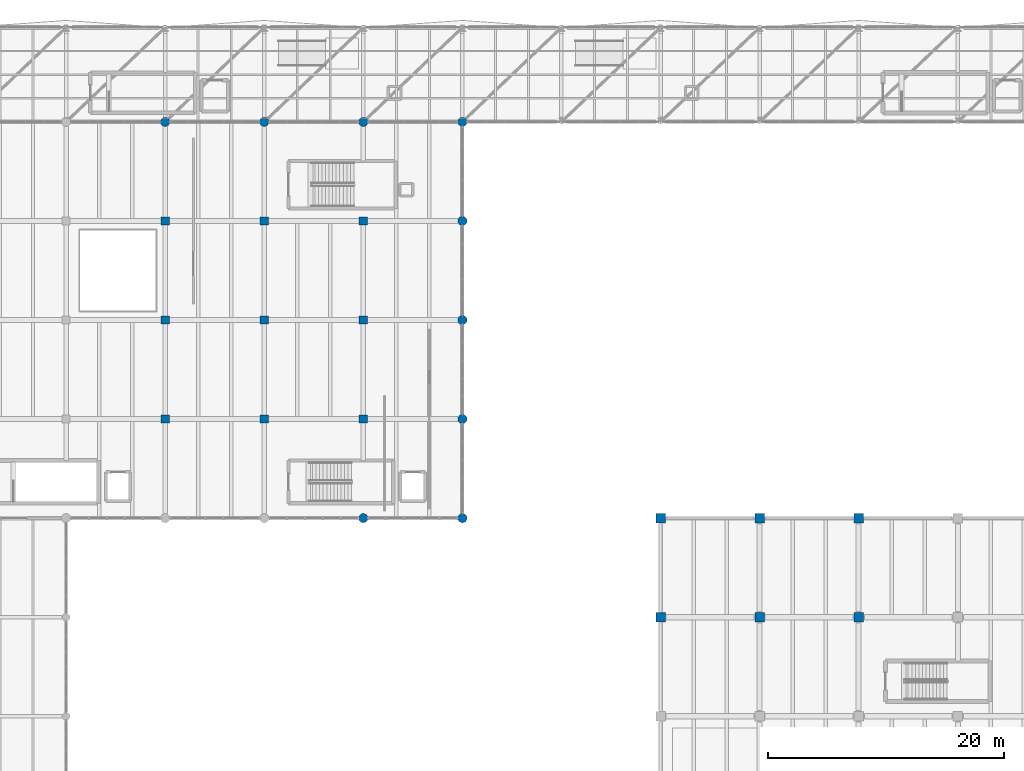
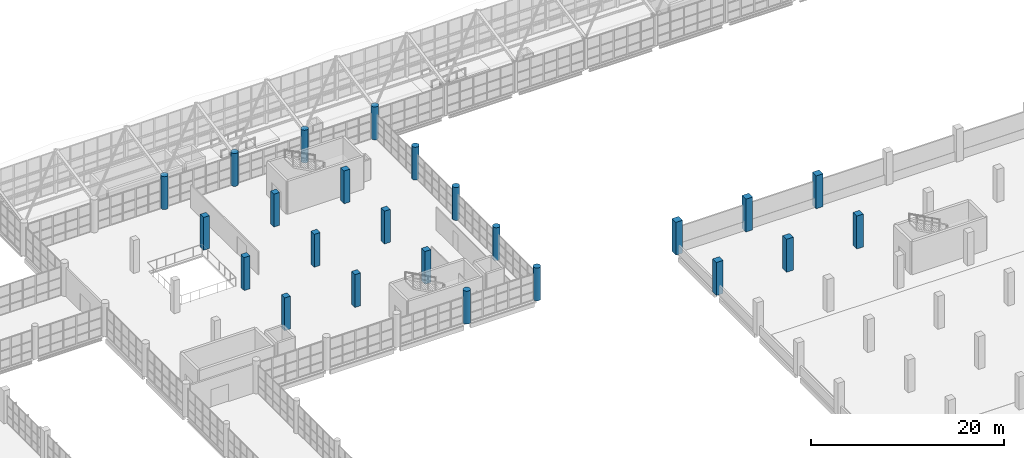
# One storey, part 3 of 177: 24 columns.
"""IFC4 building model written with IfcOpenShell, lengths in metres."""

from ifc_helpers import new_model, si_unit, direction, frame, origin, origin_2d, place, context, subcontext, project, spatial, rectangle, circle, extrude, material, material_profile, profile_set, type_object, element, save


model = new_model("IFC4")

# Units and contexts
model_context = context("Model", 3, precision=1e-05, world=origin(), true_north=direction((0.0, 1.0)))
body_context = subcontext(model_context, "Body", "Model", "MODEL_VIEW")
ifc_project = project(units=[si_unit("LENGTHUNIT", "METRE"), si_unit("AREAUNIT", "SQUARE_METRE"), si_unit("VOLUMEUNIT", "CUBIC_METRE"), si_unit("PLANEANGLEUNIT", "RADIAN"), si_unit("MASSUNIT", "GRAM", prefix="KILO"), si_unit("THERMODYNAMICTEMPERATUREUNIT", "KELVIN"), si_unit("POWERUNIT", "WATT")], contexts=[model_context])

# Site, building, storey
site_placement = place(None, origin())
site = spatial("IfcSite", under=ifc_project, at=site_placement, CompositionType="ELEMENT")
building_placement = place(site_placement, origin())
building = spatial("IfcBuilding", under=site, at=building_placement, Name="Mavoryth Pier Ferry Terminal", CompositionType="ELEMENT")
storey_placement = place(building_placement, frame((0.0, 0.0, 5.43994140625)))
storey = spatial("IfcBuildingStorey", under=building, at=storey_placement, Name="L01", CompositionType="ELEMENT", Elevation=5.43994140625)

# Columns
ifc_material = material(Name="Concrete C40/50", Category="concrete")
ifc_material_profile_1 = material_profile(ifc_material, circle(Radius=0.389892578125, at=origin_2d()), Name="RC D780", Category="concrete")
ifc_profile_set_1 = profile_set([ifc_material_profile_1], Name="Concrete C40/50 - RC D780")
column_type_1 = type_object("IfcColumnType", Name="Col-Pilotis-D780", PredefinedType="COLUMN", material=ifc_profile_set_1)
for number, where, z_axis, x_axis, name in (
    (1, (67.199951171875, 106.0, 0.0), (0.0, 0.0, 1.0), (1.0, 0.0, 0.0), "Column C01-CC03-224"),
    (2, (75.60009765625, 106.0, 0.0), (0.0, 0.0, 1.0), (1.0, 0.0, 0.0), "Column C01-CC03-229"),
    (3, (84.0, 72.39990234375, 0.0), (0.0, 0.0, 1.0), (1.0, 0.0, 0.0), "Column C01-CC03-230"),
    (4, (84.0, 106.0, 0.0), (0.0, 0.0, 1.0), (1.0, 0.0, 0.0), "Column C01-CC03-234"),
    (5, (92.39990234375, 72.39990234375, 0.0), (0.0, 0.0, 1.0), (1.0, 0.0, 0.0), "Column C01-CC03-235"),
    (6, (92.39990234375, 80.800048828125, 0.0), (0.0, 0.0, 1.0), (1.0, 0.0, 0.0), "Column C01-CC03-236"),
    (7, (92.39990234375, 89.199951171875, 0.0), (0.0, 0.0, 1.0), (1.0, 0.0, 0.0), "Column C01-CC03-237"),
    (8, (92.39990234375, 97.60009765625, 0.0), (0.0, 0.0, 1.0), (1.0, 0.0, 0.0), "Column C01-CC03-238"),
    (9, (92.39990234375, 106.0, 0.0), (0.0, 0.0, 1.0), (1.0, 0.0, 0.0), "Column C01-CC03-239"),
):
    element("IfcColumn", number, at=place(storey_placement, frame(where, z_axis=z_axis, x_axis=x_axis)), inside=storey, type_object=column_type_1, Name=name, PredefinedType="COLUMN", context=body_context, shape_type="SweptSolid", body=[
        extrude(circle(Radius=0.389892578125, at=origin_2d()), origin(), (0.0, 0.0, 1.0), 4.16015625),
    ])
ifc_material_profile_2 = material_profile(ifc_material, rectangle(XDim=0.699951171875, YDim=0.699951171875, at=origin_2d()), Name="RC 700x700", Category="concrete")
ifc_profile_set_2 = profile_set([ifc_material_profile_2], Name="Concrete C40/50 - RC 700x700")
column_type_2 = type_object("IfcColumnType", Name="Col-RC-700x700", PredefinedType="COLUMN", material=ifc_profile_set_2)
for number, where, z_axis, x_axis, name in (
    (10, (67.199951171875, 80.800048828125, 0.0), (0.0, 0.0, 1.0), (1.0, 0.0, 0.0), "Column C01-CC09-221"),
    (11, (67.199951171875, 89.199951171875, 0.0), (0.0, 0.0, 1.0), (1.0, 0.0, 0.0), "Column C01-CC09-222"),
    (12, (67.199951171875, 97.60009765625, 0.0), (0.0, 0.0, 1.0), (1.0, 0.0, 0.0), "Column C01-CC09-223"),
    (13, (75.60009765625, 80.800048828125, 0.0), (0.0, 0.0, 1.0), (1.0, 0.0, 0.0), "Column C01-CC09-226"),
    (14, (75.60009765625, 89.199951171875, 0.0), (0.0, 0.0, 1.0), (1.0, 0.0, 0.0), "Column C01-CC09-227"),
    (15, (75.60009765625, 97.60009765625, 0.0), (0.0, 0.0, 1.0), (1.0, 0.0, 0.0), "Column C01-CC09-228"),
    (16, (84.0, 80.800048828125, 0.0), (0.0, 0.0, 1.0), (1.0, 0.0, 0.0), "Column C01-CC09-231"),
    (17, (84.0, 89.199951171875, 0.0), (0.0, 0.0, 1.0), (1.0, 0.0, 0.0), "Column C01-CC09-232"),
    (18, (84.0, 97.60009765625, 0.0), (0.0, 0.0, 1.0), (1.0, 0.0, 0.0), "Column C01-CC09-233"),
):
    element("IfcColumn", number, at=place(storey_placement, frame(where, z_axis=z_axis, x_axis=x_axis)), inside=storey, type_object=column_type_2, Name=name, PredefinedType="COLUMN", context=body_context, shape_type="SweptSolid", body=[
        extrude(rectangle(XDim=0.699951171875, YDim=0.699951171875, at=origin_2d()), origin(), (0.0, 0.0, 1.0), 4.16015625),
    ])
ifc_material_profile_3 = material_profile(ifc_material, rectangle(XDim=0.800048828125, YDim=0.800048828125, at=origin_2d()), Name="RC 800x800", Category="concrete")
ifc_profile_set_3 = profile_set([ifc_material_profile_3], Name="Concrete C40/50 - RC 800x800")
column_type_3 = type_object("IfcColumnType", Name="Col-RC-800x800", PredefinedType="COLUMN", material=ifc_profile_set_3)
for number, where, z_axis, x_axis, name in (
    (19, (109.199951171875, 64.0, 0.0), (0.0, 0.0, 1.0), (1.0, 0.0, 0.0), "Column C01-CC11-369"),
    (20, (109.199951171875, 72.39990234375, 0.0), (0.0, 0.0, 1.0), (1.0, 0.0, 0.0), "Column C01-CC11-370"),
    (21, (117.60009765625, 64.0, 0.0), (0.0, 0.0, 1.0), (1.0, 0.0, 0.0), "Column C01-CC11-377"),
    (22, (117.60009765625, 72.39990234375, 0.0), (0.0, 0.0, 1.0), (1.0, 0.0, 0.0), "Column C01-CC11-378"),
    (23, (126.0, 64.0, 0.0), (0.0, 0.0, 1.0), (1.0, 0.0, 0.0), "Column C01-CC11-385"),
    (24, (126.0, 72.39990234375, 0.0), (0.0, 0.0, 1.0), (1.0, 0.0, 0.0), "Column C01-CC11-386"),
):
    element("IfcColumn", number, at=place(storey_placement, frame(where, z_axis=z_axis, x_axis=x_axis)), inside=storey, type_object=column_type_3, Name=name, PredefinedType="COLUMN", context=body_context, shape_type="SweptSolid", body=[
        extrude(rectangle(XDim=0.800048828125, YDim=0.800048828125, at=origin_2d()), origin(), (0.0, 0.0, 1.0), 4.16015625),
    ])

save(model, "model.ifc")
